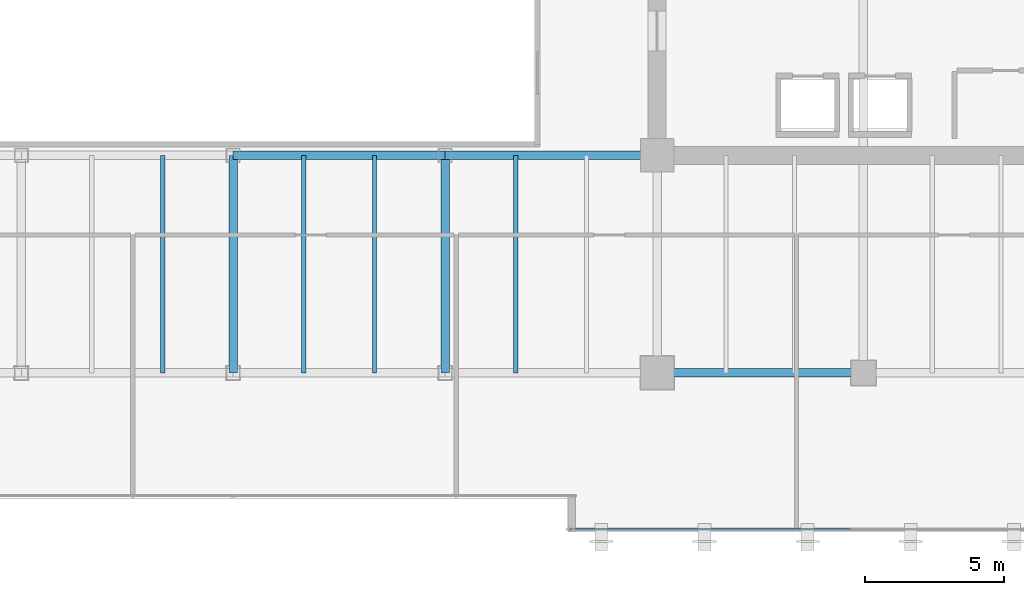
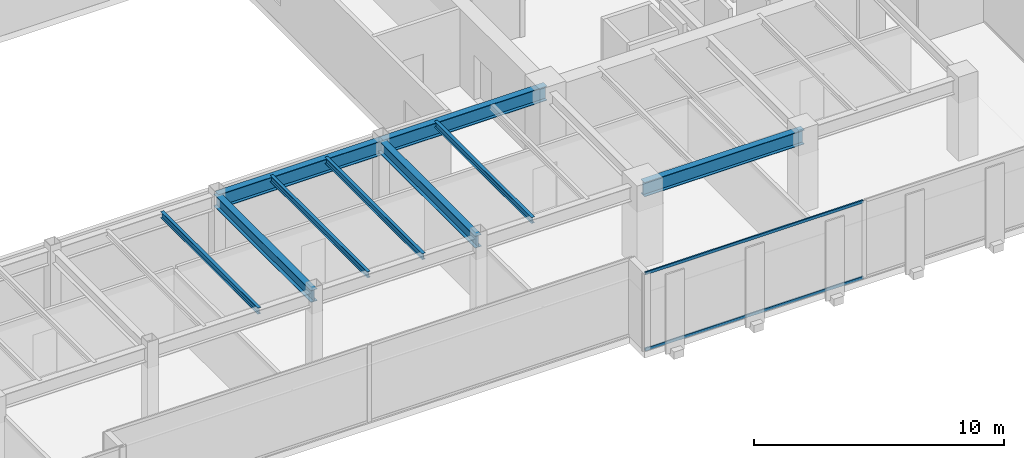
# One storey, part 11 of 34: 9 beams, 2 members, 1 element without a shape of its own.
"""IFC4 building model written with IfcOpenShell, lengths in metres."""

from ifc_helpers import new_model, si_unit, direction, frame, origin, origin_2d, place, context, subcontext, project, spatial, hollow_rectangle, i_section, extrude, source, transform, mapped, material, layer, layer_set, material_profile, profile_set, type_object, type_shapes, element, aggregate, save


model = new_model("IFC4")

# Units and contexts
model_context = context("Model", 3, precision=1e-05, world=origin(), true_north=direction((0.0, 1.0)))
body_context = subcontext(model_context, "Body", "Model", "MODEL_VIEW")
ifc_project = project(units=[si_unit("LENGTHUNIT", "METRE"), si_unit("AREAUNIT", "SQUARE_METRE"), si_unit("VOLUMEUNIT", "CUBIC_METRE"), si_unit("PLANEANGLEUNIT", "RADIAN"), si_unit("MASSUNIT", "GRAM", prefix="KILO")], contexts=[model_context])

# Site, building, storey
site_placement = place(None, origin())
site = spatial("IfcSite", under=ifc_project, at=site_placement, CompositionType="ELEMENT")
building_placement = place(site_placement, origin())
building = spatial("IfcBuilding", under=site, at=building_placement, Name="Haelvirn Gate Laboratories", CompositionType="ELEMENT")
storey_placement = place(building_placement, frame((0.0, 0.0, 158.39990234375)))
storey = spatial("IfcBuildingStorey", under=building, at=storey_placement, Name="L38", CompositionType="ELEMENT", Elevation=158.39990234375)

# Beams
ifc_material_1 = material(Name="Steel SM355", Category="steel")
ifc_material_profile_1 = material_profile(ifc_material_1, i_section(OverallWidth=0.300048828125, OverallDepth=0.699951171875, WebThickness=0.012939453125, FlangeThickness=0.02392578125, at=origin_2d()), Name="H-700x300x13x24")
ifc_profile_set_1 = profile_set([ifc_material_profile_1], Name="Steel SM355")
beam_type_1 = type_object("IfcBeamType", Name="BM-G-700", PredefinedType="BEAM", material=ifc_profile_set_1)
shared_shape_1 = source(origin(), body_context, "Body", "SweptSolid", [
    extrude(i_section(OverallWidth=0.300048828125, OverallDepth=0.699951171875, WebThickness=0.012939453125, FlangeThickness=0.02392578125, at=origin_2d()), origin(), (0.0, 0.0, 1.0), 7.39990234375),
])
beam_placement = place(storey_placement, frame((52.60009765625, 7.0, 3.440185546875), z_axis=(1.0, 0.0, 0.0), x_axis=(0.0, 1.0, 0.0)))
element("IfcBeam", 1, at=beam_placement, inside=storey, type_object=beam_type_1, Name="L38 Primary Girder Y7.0 (52.6-60.0)", PredefinedType="BEAM", context=body_context, shape_type="MappedRepresentation", body=[
    mapped(shared_shape_1, transform((0.0, 0.0, 0.0), scale=1.0)),
])
shared_shape_2 = source(origin(), body_context, "Body", "SweptSolid", [
    extrude(i_section(OverallWidth=0.300048828125, OverallDepth=0.699951171875, WebThickness=0.012939453125, FlangeThickness=0.02392578125, at=origin_2d()), origin(), (0.0, 0.0, 1.0), 7.60009765625),
])
type_shapes(beam_type_1, [shared_shape_1, shared_shape_2])
for number, where, z_axis, x_axis, name in (
    (2, (37.39990234375, 14.800048828125, 3.440185546875), (1.0, 0.0, 0.0), (0.0, 1.0, 0.0), "L38 Primary Girder Y14.8 (37.4-45.0)"),
    (3, (45.0, 14.800048828125, 3.440185546875), (1.0, 0.0, 0.0), (0.0, 1.0, 0.0), "L38 Primary Girder Y14.8 (45.0-52.6)"),
):
    element("IfcBeam", number, at=place(storey_placement, frame(where, z_axis=z_axis, x_axis=x_axis)), inside=storey, type_object=beam_type_1, Name=name, PredefinedType="BEAM", context=body_context, shape_type="MappedRepresentation", body=[
        mapped(shared_shape_2, transform((0.0, 0.0, 0.0), scale=1.0)),
    ])
ifc_material_profile_2 = material_profile(ifc_material_1, i_section(OverallWidth=0.14990234375, OverallDepth=0.300048828125, WebThickness=0.006591796875, FlangeThickness=0.009033203125, at=origin_2d()), Name="H-300x150x6.5x9")
ifc_profile_set_2 = profile_set([ifc_material_profile_2], Name="Steel SM355")
beam_type_2 = type_object("IfcBeamType", Name="BM-J-300", PredefinedType="JOIST", material=ifc_profile_set_2)
shared_shape_3 = source(origin(), body_context, "Body", "SweptSolid", [
    extrude(i_section(OverallWidth=0.14990234375, OverallDepth=0.300048828125, WebThickness=0.006591796875, FlangeThickness=0.009033203125, at=origin_2d()), origin(), (0.0, 0.0, 1.0), 7.800048828125),
])
type_shapes(beam_type_2, [shared_shape_3])
for number, where, z_axis, x_axis, name in (
    (4, (34.8701171875, 7.0, 3.64013671875), (0.0, 1.0, 0.0), (-1.0, 0.0, 0.0), "L38 Composite Lab Joist South X34.87"),
    (5, (39.929931640625, 7.0, 3.64013671875), (0.0, 1.0, 0.0), (-1.0, 0.0, 0.0), "L38 Composite Lab Joist South X39.93"),
    (6, (42.469970703125, 7.0, 3.64013671875), (0.0, 1.0, 0.0), (-1.0, 0.0, 0.0), "L38 Composite Lab Joist South X42.47"),
    (7, (47.530029296875, 7.0, 3.64013671875), (0.0, 1.0, 0.0), (-1.0, 0.0, 0.0), "L38 Composite Lab Joist South X47.53"),
):
    element("IfcBeam", number, at=place(storey_placement, frame(where, z_axis=z_axis, x_axis=x_axis)), inside=storey, type_object=beam_type_2, Name=name, PredefinedType="JOIST", context=body_context, shape_type="MappedRepresentation", body=[
        mapped(shared_shape_3, transform((0.0, 0.0, 0.0), scale=1.0)),
    ])
ifc_material_profile_3 = material_profile(ifc_material_1, i_section(OverallWidth=0.300048828125, OverallDepth=0.587890625, WebThickness=0.011962890625, FlangeThickness=0.02001953125, at=origin_2d()), Name="H-588x300x12x20")
ifc_profile_set_3 = profile_set([ifc_material_profile_3], Name="Steel SM355")
beam_type_3 = type_object("IfcBeamType", Name="BM-G-588", PredefinedType="BEAM", material=ifc_profile_set_3)
shared_shape_4 = source(origin(), body_context, "Body", "SweptSolid", [
    extrude(i_section(OverallWidth=0.300048828125, OverallDepth=0.587890625, WebThickness=0.011962890625, FlangeThickness=0.02001953125, at=origin_2d()), origin(), (0.0, 0.0, 1.0), 7.800048828125),
])
type_shapes(beam_type_3, [shared_shape_4])
for number, where, z_axis, x_axis, name in (
    (8, (37.39990234375, 7.0, 3.49609375), (0.0, 1.0, 0.0), (-1.0, 0.0, 0.0), "L38 Frame Girder X37.4 (7.0-14.8)"),
    (9, (45.0, 7.0, 3.49609375), (0.0, 1.0, 0.0), (-1.0, 0.0, 0.0), "L38 Frame Girder X45.0 (7.0-14.8)"),
):
    element("IfcBeam", number, at=place(storey_placement, frame(where, z_axis=z_axis, x_axis=x_axis)), inside=storey, type_object=beam_type_3, Name=name, PredefinedType="BEAM", context=body_context, shape_type="MappedRepresentation", body=[
        mapped(shared_shape_4, transform((0.0, 0.0, 0.0), scale=1.0)),
    ])

# Curtain wall, members
ifc_material_2 = material(Name="Anodised bronze unitised aluminium & triple low-E glass", Category="aluminium")
ifc_layer = layer(ifc_material_2, 0.179931640625, Name="CW-SYS-3")
ifc_layer_set = layer_set([ifc_layer], Name="Anodised bronze unitised aluminium & triple low-E glass")
curtain_wall_type = type_object("IfcCurtainWallType", Name="CW-SYS-3", PredefinedType="NOTDEFINED", material=ifc_layer_set)
curtain_wall_placement = place(storey_placement, origin())
curtain_wall = element("IfcCurtainWall", 10, at=curtain_wall_placement, inside=storey, type_object=curtain_wall_type, Name="L38 Unitised Curtain Wall CW-L38-P0-E04-1", PredefinedType="NOTDEFINED")
ifc_material_3 = material(Name="Extruded aluminium 6063-T6 (anodised bronze)", Category="aluminium")
ifc_material_profile_4 = material_profile(ifc_material_3, hollow_rectangle(XDim=0.06494140625, YDim=0.139892578125, WallThickness=0.00390625, at=origin_2d()), Name="CWT-140x65x4")
ifc_profile_set_4 = profile_set([ifc_material_profile_4], Name="Extruded aluminium 6063-T6 (anodised bronze)")
member_type = type_object("IfcMemberType", Name="CWT-T140", PredefinedType="USERDEFINED", material=ifc_profile_set_4)
shared_shape_5 = source(origin(), body_context, "Body", "SweptSolid", [
    extrude(hollow_rectangle(XDim=0.06494140625, YDim=0.139892578125, WallThickness=0.00390625, at=origin_2d()), origin(), (0.0, 0.0, 1.0), 10.08740234375),
])
type_shapes(member_type, [shared_shape_5])
member_1_placement = place(storey_placement, frame((49.47509765625, 1.39990234375, 0.03271484375), z_axis=(1.0, 0.0, 0.0), x_axis=(0.0, 1.0, 0.0)))
member_1 = element("IfcMember", 11, at=member_1_placement, type_object=member_type, Name="CW3 transom 1.1", ObjectType="TRANSOM", PredefinedType="USERDEFINED", context=body_context, shape_type="MappedRepresentation", body=[
    mapped(shared_shape_5, transform((0.0, 0.0, 0.0), scale=1.0)),
])
member_2_placement = place(storey_placement, frame((49.47509765625, 1.39990234375, 3.757568359375), z_axis=(1.0, 0.0, 0.0), x_axis=(0.0, 1.0, 0.0)))
member_2 = element("IfcMember", 12, at=member_2_placement, type_object=member_type, Name="CW3 transom 1.2", ObjectType="TRANSOM", PredefinedType="USERDEFINED", context=body_context, shape_type="MappedRepresentation", body=[
    mapped(shared_shape_5, transform((0.0, 0.0, 0.0), scale=1.0)),
])
aggregate(curtain_wall, [member_1, member_2])

save(model, "model.ifc")
